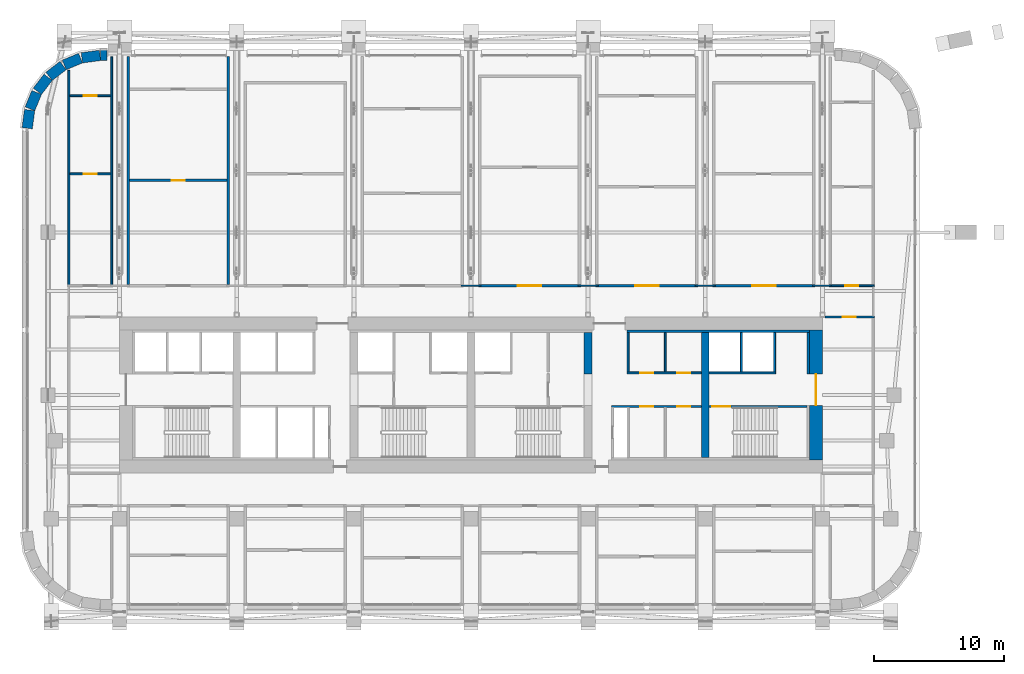
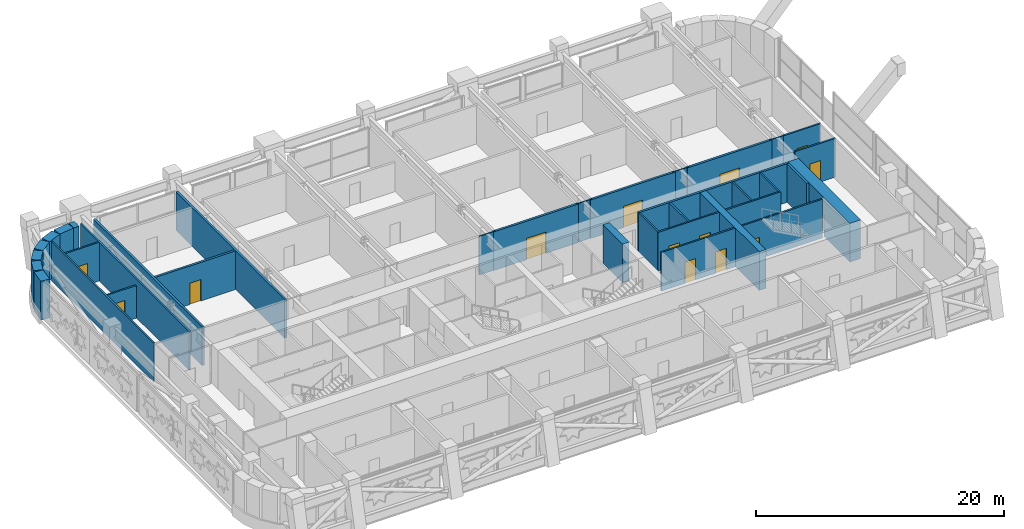
# One storey, part 15 of 27: 36 walls, 14 doors, 14 openings.
"""IFC4 building model written with IfcOpenShell, lengths in metres."""

from ifc_helpers import new_model, si_unit, direction, frame, frame_2d, origin, place, context, subcontext, project, spatial, rectangle, extrude, material, layer, layer_set, type_object, element, fill, save


model = new_model("IFC4")

# Units and contexts
model_context = context("Model", 3, precision=1e-05, world=origin(), true_north=direction((0.0, 1.0)))
body_context = subcontext(model_context, "Body", "Model", "MODEL_VIEW")
ifc_project = project(units=[si_unit("LENGTHUNIT", "METRE"), si_unit("AREAUNIT", "SQUARE_METRE"), si_unit("VOLUMEUNIT", "CUBIC_METRE"), si_unit("PLANEANGLEUNIT", "RADIAN"), si_unit("MASSUNIT", "GRAM", prefix="KILO")], contexts=[model_context])

# Site, building, storey
site_placement = place(None, origin())
site = spatial("IfcSite", under=ifc_project, at=site_placement, CompositionType="ELEMENT")
building_placement = place(site_placement, origin())
building = spatial("IfcBuilding", under=site, at=building_placement, Name="Zellij Exchange Tower", CompositionType="ELEMENT")
storey_placement = place(building_placement, frame((0.0, 0.0, 104.5)))
storey = spatial("IfcBuildingStorey", under=building, at=storey_placement, Name="L22", CompositionType="ELEMENT", Elevation=104.5)

# Walls
ifc_material_1 = material(Name="Concrete C70/85", Category="concrete")
ifc_layer_1 = layer(ifc_material_1, 0.60009765625)
ifc_layer_set_1 = layer_set([ifc_layer_1], Name="Concrete C70/85")
wall_type_1 = type_object("IfcWallType", Name="CORE-CW 600 C70/85", PredefinedType="SHEAR", material=ifc_layer_set_1)
wall_1_placement = place(storey_placement, frame((9.0, -6.375, 0.0), z_axis=(0.0, 0.0, 1.0), x_axis=(0.0, 1.0, 0.0)))
element("IfcWall", 1, at=wall_1_placement, inside=storey, type_object=wall_type_1, Name="Core cross wall pier x 9 b L22", PredefinedType="SHEAR", context=body_context, shape_type="SweptSolid", body=[
    extrude(rectangle(XDim=3.175048828125, YDim=0.60009765625, at=frame_2d((1.58740234375, 0.0))), origin(), (0.0, 0.0, 1.0), 3.800048828125),
])
wall_2_placement = place(storey_placement, frame((18.0, -12.800048828125, 0.0), z_axis=(0.0, 0.0, 1.0), x_axis=(0.0, 1.0, 0.0)))
element("IfcWall", 2, at=wall_2_placement, inside=storey, type_object=wall_type_1, Name="Core cross wall x 18 L22", PredefinedType="SHEAR", context=body_context, shape_type="SweptSolid", body=[
    extrude(rectangle(XDim=9.60009765625, YDim=0.60009765625, at=frame_2d((4.800048828125, 0.0))), origin(), (0.0, 0.0, 1.0), 3.800048828125),
])
ifc_material_2 = material(Name="Concrete C30/37", Category="concrete")
ifc_layer_2 = layer(ifc_material_2, 0.199951171875)
ifc_layer_set_2 = layer_set([ifc_layer_2], Name="Concrete C30/37")
wall_type_2 = type_object("IfcWallType", Name="CORE-LW 200 C30/37", PredefinedType="SHEAR", material=ifc_layer_set_2)
wall_3_placement = place(storey_placement, frame((12.0, -3.10009765625, 0.0), z_axis=(0.0, 0.0, 1.0), x_axis=(1.0, 0.0, 0.0)))
element("IfcWall", 3, at=wall_3_placement, inside=storey, type_object=wall_type_2, Name="Core wall lining front.2 L22", PredefinedType="SHEAR", context=body_context, shape_type="SweptSolid", body=[
    extrude(rectangle(XDim=14.0, YDim=0.199951171875, at=frame_2d((7.0, 0.0))), origin(), (0.0, 0.0, 1.0), 3.800048828125),
])
wall_4_placement = place(storey_placement, frame((25.89990234375, -6.375, 0.0), z_axis=(0.0, 0.0, 1.0), x_axis=(0.0, 1.0, 0.0)))
element("IfcWall", 4, at=wall_4_placement, inside=storey, type_object=wall_type_2, Name="Core wall lining end e.1 L22", PredefinedType="SHEAR", context=body_context, shape_type="SweptSolid", body=[
    extrude(rectangle(XDim=3.175048828125, YDim=0.199951171875, at=frame_2d((1.58740234375, 0.0))), origin(), (0.0, 0.0, 1.0), 3.800048828125),
])
ifc_material_3 = material(Name="Gypsum shaft wall system")
ifc_layer_3 = layer(ifc_material_3, 0.14990234375)
ifc_layer_set_3 = layer_set([ifc_layer_3], Name="Gypsum shaft wall system")
wall_type_3 = type_object("IfcWallType", Name="CORE-PW 150 Lift shaft wall", PredefinedType="PARTITIONING", material=ifc_layer_set_3)
for number, where, z_axis, x_axis, name in (
    (5, (20.77490234375, -6.22509765625, 0.0), (0.0, 0.0, 1.0), (0.0, 1.0, 0.0), "Lift shaft wall L22"),
    (6, (23.324951171875, -6.22509765625, 0.0), (0.0, 0.0, 1.0), (0.0, 1.0, 0.0), "Lift shaft wall L22"),
):
    element("IfcWall", number, at=place(storey_placement, frame(where, z_axis=z_axis, x_axis=x_axis)), inside=storey, type_object=wall_type_3, Name=name, PredefinedType="PARTITIONING", context=body_context, shape_type="SweptSolid", body=[
        extrude(rectangle(XDim=3.025146484375, YDim=0.14990234375, at=frame_2d((1.5126953125, 0.0))), origin(), (0.0, 0.0, 1.0), 3.800048828125),
    ])
wall_5_placement = place(storey_placement, frame((18.300048828125, -6.300048828125, 0.0), z_axis=(0.0, 0.0, 1.0), x_axis=(1.0, 0.0, 0.0)))
element("IfcWall", 7, at=wall_5_placement, inside=storey, type_object=wall_type_3, Name="Lift shaft wall L22", PredefinedType="PARTITIONING", context=body_context, shape_type="SweptSolid", body=[
    extrude(rectangle(XDim=5.099853515625, YDim=0.14990234375, at=frame_2d((2.5498046875, 0.0))), origin(), (0.0, 0.0, 1.0), 3.800048828125),
])
ifc_layer_4 = layer(ifc_material_3, 0.14990234375)
ifc_layer_set_4 = layer_set([ifc_layer_4], Name="Gypsum shaft wall system")
wall_type_4 = type_object("IfcWallType", Name="CORE-PW 150 Plant room wall", PredefinedType="PARTITIONING", material=ifc_layer_set_4)
for number, where, z_axis, x_axis, name in (
    (8, (12.074951171875, -6.22509765625, 0.0), (0.0, 0.0, 1.0), (0.0, 1.0, 0.0), "Plant room wall L22"),
    (9, (14.925048828125, -6.22509765625, 0.0), (0.0, 0.0, 1.0), (0.0, 1.0, 0.0), "Plant room wall L22"),
):
    element("IfcWall", number, at=place(storey_placement, frame(where, z_axis=z_axis, x_axis=x_axis)), inside=storey, type_object=wall_type_4, Name=name, PredefinedType="PARTITIONING", context=body_context, shape_type="SweptSolid", body=[
        extrude(rectangle(XDim=3.025146484375, YDim=0.14990234375, at=frame_2d((1.5126953125, 0.0))), origin(), (0.0, 0.0, 1.0), 3.800048828125),
    ])

# Wall, openings, doors
wall_6_placement = place(storey_placement, frame((12.0, -6.300048828125, 0.0), z_axis=(0.0, 0.0, 1.0), x_axis=(1.0, 0.0, 0.0)))
wall_6 = element("IfcWall", 10, at=wall_6_placement, inside=storey, type_object=wall_type_4, Name="Plant room wall L22", PredefinedType="PARTITIONING", context=body_context, shape_type="SweptSolid", body=[
    extrude(rectangle(XDim=5.699951171875, YDim=0.14990234375, at=frame_2d((2.85009765625, 0.0))), origin(), (0.0, 0.0, 1.0), 3.800048828125),
])
opening_1_placement = place(wall_6_placement, frame((1.0, 0.0, 0.0)))
opening_1 = element("IfcOpeningElement", 11, at=opening_1_placement, cuts=wall_6, Name="Opening CA-12.18", PredefinedType="OPENING", context=body_context, shape_type="SweptSolid", body=[
    extrude(rectangle(XDim=1.0, YDim=2.10009765625, at=frame_2d((0.5, 1.050048828125))), frame((0.0, 0.0869140625, 0.0), z_axis=(0.0, -1.0, 0.0), x_axis=(1.0, 0.0, 0.0)), (0.0, 0.0, 1.0), 0.173828125),
])
opening_2_placement = place(wall_6_placement, frame((3.85009765625, 0.0, 0.0)))
opening_2 = element("IfcOpeningElement", 12, at=opening_2_placement, cuts=wall_6, Name="Opening CA-12.20", PredefinedType="OPENING", context=body_context, shape_type="SweptSolid", body=[
    extrude(rectangle(XDim=1.0, YDim=2.10009765625, at=frame_2d((0.5, 1.050048828125))), frame((0.0, 0.0869140625, 0.0), z_axis=(0.0, -1.0, 0.0), x_axis=(1.0, 0.0, 0.0)), (0.0, 0.0, 1.0), 0.173828125),
])
ifc_material_4 = material(Name="Hollow metal fire door")
door_type_1 = type_object("IfcDoorType", Name="CORE-D CDA Core room door 1000x2100 1.5 HR", OperationType="NOTDEFINED", PredefinedType="DOOR", material=ifc_material_4)
door_1_placement = place(opening_1_placement, origin())
door_1 = element("IfcDoor", 13, at=door_1_placement, inside=storey, type_object=door_type_1, Name="Core room door CA-12.18", OperationType="SINGLE_SWING_LEFT", OverallHeight=2.10009765625, OverallWidth=1.0, PredefinedType="DOOR", context=body_context, shape_type="SweptSolid", body=[
    extrude(rectangle(XDim=1.0, YDim=2.10009765625, at=frame_2d((0.5, 1.050048828125))), frame((0.0, 0.02490234375, 0.0), z_axis=(0.0, -1.0, 0.0), x_axis=(1.0, 0.0, 0.0)), (0.0, 0.0, 1.0), 0.050048828125),
])
fill(opening_1, door_1)
door_2_placement = place(opening_2_placement, origin())
door_2 = element("IfcDoor", 14, at=door_2_placement, inside=storey, type_object=door_type_1, Name="Core room door CA-12.20", OperationType="SINGLE_SWING_RIGHT", OverallHeight=2.10009765625, OverallWidth=1.0, PredefinedType="DOOR", context=body_context, shape_type="SweptSolid", body=[
    extrude(rectangle(XDim=1.0, YDim=2.10009765625, at=frame_2d((0.5, 1.050048828125))), frame((0.0, 0.02490234375, 0.0), z_axis=(0.0, -1.0, 0.0), x_axis=(1.0, 0.0, 0.0)), (0.0, 0.0, 1.0), 0.050048828125),
])
fill(opening_2, door_2)

wall_7_placement = place(storey_placement, frame((10.800048828125, -8.875, 0.0), z_axis=(0.0, 0.0, 1.0), x_axis=(1.0, 0.0, 0.0)))
wall_7 = element("IfcWall", 15, at=wall_7_placement, inside=storey, type_object=wall_type_4, Name="Plant room wall L22", PredefinedType="PARTITIONING", context=body_context, shape_type="SweptSolid", body=[
    extrude(rectangle(XDim=6.89990234375, YDim=0.14990234375, at=frame_2d((3.449951171875, 0.0))), origin(), (0.0, 0.0, 1.0), 3.800048828125),
])
opening_3_placement = place(wall_7_placement, frame((2.199951171875, 0.0, 0.0)))
opening_3 = element("IfcOpeningElement", 16, at=opening_3_placement, cuts=wall_7, Name="Opening CA-12.17", PredefinedType="OPENING", context=body_context, shape_type="SweptSolid", body=[
    extrude(rectangle(XDim=1.0, YDim=2.10009765625, at=frame_2d((0.5, 1.050048828125))), frame((0.0, 0.0869140625, 0.0), z_axis=(0.0, -1.0, 0.0), x_axis=(1.0, 0.0, 0.0)), (0.0, 0.0, 1.0), 0.173828125),
])
opening_4_placement = place(wall_7_placement, frame((5.050048828125, 0.0, 0.0)))
opening_4 = element("IfcOpeningElement", 17, at=opening_4_placement, cuts=wall_7, Name="Opening CA-12.19", PredefinedType="OPENING", context=body_context, shape_type="SweptSolid", body=[
    extrude(rectangle(XDim=1.0, YDim=2.10009765625, at=frame_2d((0.5, 1.050048828125))), frame((0.0, 0.0869140625, 0.0), z_axis=(0.0, -1.0, 0.0), x_axis=(1.0, 0.0, 0.0)), (0.0, 0.0, 1.0), 0.173828125),
])
door_3_placement = place(opening_3_placement, origin())
door_3 = element("IfcDoor", 18, at=door_3_placement, inside=storey, type_object=door_type_1, Name="Core room door CA-12.17", OperationType="SINGLE_SWING_RIGHT", OverallHeight=2.10009765625, OverallWidth=1.0, PredefinedType="DOOR", context=body_context, shape_type="SweptSolid", body=[
    extrude(rectangle(XDim=1.0, YDim=2.10009765625, at=frame_2d((0.5, 1.050048828125))), frame((0.0, 0.02490234375, 0.0), z_axis=(0.0, -1.0, 0.0), x_axis=(1.0, 0.0, 0.0)), (0.0, 0.0, 1.0), 0.050048828125),
])
fill(opening_3, door_3)
door_4_placement = place(opening_4_placement, origin())
door_4 = element("IfcDoor", 19, at=door_4_placement, inside=storey, type_object=door_type_1, Name="Core room door CA-12.19", OperationType="SINGLE_SWING_LEFT", OverallHeight=2.10009765625, OverallWidth=1.0, PredefinedType="DOOR", context=body_context, shape_type="SweptSolid", body=[
    extrude(rectangle(XDim=1.0, YDim=2.10009765625, at=frame_2d((0.5, 1.050048828125))), frame((0.0, 0.02490234375, 0.0), z_axis=(0.0, -1.0, 0.0), x_axis=(1.0, 0.0, 0.0)), (0.0, 0.0, 1.0), 0.050048828125),
])
fill(opening_4, door_4)

# Wall, opening, door
ifc_layer_5 = layer(ifc_material_1, 1.0)
ifc_layer_set_5 = layer_set([ifc_layer_5], Name="Concrete C70/85")
wall_type_5 = type_object("IfcWallType", Name="CORE-SW 1000 C70/85", PredefinedType="SHEAR", material=ifc_layer_set_5)
wall_8_placement = place(storey_placement, frame((26.5, -13.0, 0.0), z_axis=(0.0, 0.0, 1.0), x_axis=(0.0, 1.0, 0.0)))
wall_8 = element("IfcWall", 20, at=wall_8_placement, inside=storey, type_object=wall_type_5, Name="Core shear wall end e L22", PredefinedType="SHEAR", context=body_context, shape_type="SweptSolid", body=[
    extrude(rectangle(XDim=10.0, YDim=1.0, at=frame_2d((5.0, 0.0))), origin(), (0.0, 0.0, 1.0), 3.800048828125),
])
opening_5_placement = place(wall_8_placement, frame((4.2119140625, 0.0, 0.0)))
opening_5 = element("IfcOpeningElement", 21, at=opening_5_placement, cuts=wall_8, Name="Opening CA-12.22", PredefinedType="OPENING", context=body_context, shape_type="SweptSolid", body=[
    extrude(rectangle(XDim=2.39990234375, YDim=2.10009765625, at=frame_2d((1.199951171875, 1.050048828125))), frame((0.0, 0.511962890625, 0.0), z_axis=(0.0, -1.0, 0.0), x_axis=(1.0, 0.0, 0.0)), (0.0, 0.0, 1.0), 1.02392578125),
])
door_type_2 = type_object("IfcDoorType", Name="CORE-D CE Core entrance door 2400x2100 20 MIN", OperationType="NOTDEFINED", PredefinedType="DOOR", material=ifc_material_4)
door_5_placement = place(opening_5_placement, origin())
door_5 = element("IfcDoor", 22, at=door_5_placement, inside=storey, type_object=door_type_2, Name="Core entrance door CA-12.22", OperationType="DOUBLE_DOOR_SINGLE_SWING", OverallHeight=2.10009765625, OverallWidth=2.39990234375, PredefinedType="DOOR", context=body_context, shape_type="SweptSolid", body=[
    extrude(rectangle(XDim=2.39990234375, YDim=2.10009765625, at=frame_2d((1.199951171875, 1.050048828125))), frame((0.0, 0.02490234375, 0.0), z_axis=(0.0, -1.0, 0.0), x_axis=(1.0, 0.0, 0.0)), (0.0, 0.0, 1.0), 0.050048828125),
])
fill(opening_5, door_5)

ifc_layer_6 = layer(ifc_material_1, 0.14990234375)
ifc_layer_set_6 = layer_set([ifc_layer_6], Name="Concrete C70/85")
wall_type_6 = type_object("IfcWallType", Name="CORE-SWS 150 C70/85", PredefinedType="SHEAR", material=ifc_layer_set_6)
wall_9_placement = place(storey_placement, frame((18.300048828125, -8.875, 0.0), z_axis=(0.0, 0.0, 1.0), x_axis=(1.0, 0.0, 0.0)))
wall_9 = element("IfcWall", 23, at=wall_9_placement, inside=storey, type_object=wall_type_6, Name="Stair enclosure wall L22", PredefinedType="SHEAR", context=body_context, shape_type="SweptSolid", body=[
    extrude(rectangle(XDim=7.5, YDim=0.14990234375, at=frame_2d((3.75, 0.0))), origin(), (0.0, 0.0, 1.0), 3.800048828125),
])
opening_6_placement = place(wall_9_placement, frame((0.22509765625, 0.0, 0.0)))
opening_6 = element("IfcOpeningElement", 24, at=opening_6_placement, cuts=wall_9, Name="Opening CA-12.21", PredefinedType="OPENING", context=body_context, shape_type="SweptSolid", body=[
    extrude(rectangle(XDim=1.39990234375, YDim=2.10009765625, at=frame_2d((0.699951171875, 1.050048828125))), frame((0.0, 0.0869140625, 0.0), z_axis=(0.0, -1.0, 0.0), x_axis=(1.0, 0.0, 0.0)), (0.0, 0.0, 1.0), 0.173828125),
])
door_type_3 = type_object("IfcDoorType", Name="CORE-D SD Stair door 1400x2100 1.5 HR", OperationType="NOTDEFINED", PredefinedType="DOOR", material=ifc_material_4)
door_6_placement = place(opening_6_placement, origin())
door_6 = element("IfcDoor", 25, at=door_6_placement, inside=storey, type_object=door_type_3, Name="Stair door CA-12.21", OperationType="DOUBLE_DOOR_SINGLE_SWING", OverallHeight=2.10009765625, OverallWidth=1.39990234375, PredefinedType="DOOR", context=body_context, shape_type="SweptSolid", body=[
    extrude(rectangle(XDim=1.39990234375, YDim=2.10009765625, at=frame_2d((0.699951171875, 1.050048828125))), frame((0.0, 0.02490234375, 0.0), z_axis=(0.0, -1.0, 0.0), x_axis=(1.0, 0.0, 0.0)), (0.0, 0.0, 1.0), 0.050048828125),
])
fill(opening_6, door_6)

# Walls
ifc_material_5 = material(Name="Precast concrete C40/50", Category="concrete")
ifc_layer_7 = layer(ifc_material_5, 0.800048828125)
ifc_layer_set_7 = layer_set([ifc_layer_7], Name="Precast concrete C40/50")
wall_type_7 = type_object("IfcWallType", Name="ENV-EW1 Precast stone-piered wall 800", PredefinedType="SOLIDWALL", material=ifc_layer_set_7)
wall_10_placement = place(storey_placement, frame((-27.949951171875, 18.10009765625, 0.0), z_axis=(0.0, 0.0, 1.0), x_axis=(-1.0, 0.0, 0.0)))
element("IfcWall", 26, at=wall_10_placement, inside=storey, type_object=wall_type_7, Name="fac.L22.14j", PredefinedType="SOLIDWALL", context=body_context, shape_type="SweptSolid", body=[
    extrude(rectangle(XDim=0.49755859375, YDim=0.800048828125, at=frame_2d((0.248779296875, 0.0))), origin(), (0.0, 0.0, 1.0), 3.800048828125),
])
wall_11_placement = place(storey_placement, frame((-28.499755859375, 18.0966796875, 0.0), z_axis=(0.0, 0.0, 1.0), x_axis=(-0.99144603414, -0.130517283865, 0.0)))
element("IfcWall", 27, at=wall_11_placement, inside=storey, type_object=wall_type_7, Name="fac.L22.15", PredefinedType="SOLIDWALL", context=body_context, shape_type="SweptSolid", body=[
    extrude(rectangle(XDim=1.408447265625, YDim=0.800048828125, at=frame_2d((0.7041015625, 0.0))), origin(), (0.0, 0.0, 1.0), 3.800048828125),
])
wall_12_placement = place(storey_placement, frame((-29.997314453125, 17.8857421875, 0.0), z_axis=(0.0, 0.0, 1.0), x_axis=(-0.923847774587, -0.38276009378, 0.0)))
element("IfcWall", 28, at=wall_12_placement, inside=storey, type_object=wall_type_7, Name="fac.L22.16", PredefinedType="SOLIDWALL", context=body_context, shape_type="SweptSolid", body=[
    extrude(rectangle(XDim=1.35546875, YDim=0.800048828125, at=frame_2d((0.677734375, 0.0))), origin(), (0.0, 0.0, 1.0), 3.800048828125),
])
for number, where, z_axis, x_axis, name in (
    (29, (-31.340087890625, 17.314697265625, 0.0), (0.0, 0.0, 1.0), (-0.793272915452, -0.608866226366, 0.0), "fac.L22.17"),
    (30, (-32.4892578125, 16.41552734375, 0.0), (0.0, 0.0, 1.0), (-0.608866226366, -0.793272915452, 0.0), "fac.L22.18"),
):
    element("IfcWall", number, at=place(storey_placement, frame(where, z_axis=z_axis, x_axis=x_axis)), inside=storey, type_object=wall_type_7, Name=name, PredefinedType="SOLIDWALL", context=body_context, shape_type="SweptSolid", body=[
        extrude(rectangle(XDim=1.355712890625, YDim=0.800048828125, at=frame_2d((0.677734375, 0.0))), origin(), (0.0, 0.0, 1.0), 3.800048828125),
    ])
wall_13_placement = place(storey_placement, frame((-33.366943359375, 15.24951171875, 0.0), z_axis=(0.0, 0.0, 1.0), x_axis=(-0.38276009378, -0.923847774587, 0.0)))
element("IfcWall", 31, at=wall_13_placement, inside=storey, type_object=wall_type_7, Name="fac.L22.19", PredefinedType="SOLIDWALL", context=body_context, shape_type="SweptSolid", body=[
    extrude(rectangle(XDim=1.35546875, YDim=0.800048828125, at=frame_2d((0.677734375, 0.0))), origin(), (0.0, 0.0, 1.0), 3.800048828125),
])
wall_14_placement = place(storey_placement, frame((-33.912841796875, 13.896240234375, 0.0), z_axis=(0.0, 0.0, 1.0), x_axis=(-0.130517283865, -0.99144603414, 0.0)))
element("IfcWall", 32, at=wall_14_placement, inside=storey, type_object=wall_type_7, Name="fac.L22.20", PredefinedType="SOLIDWALL", context=body_context, shape_type="SweptSolid", body=[
    extrude(rectangle(XDim=1.408447265625, YDim=0.800048828125, at=frame_2d((0.7041015625, 0.0))), origin(), (0.0, 0.0, 1.0), 3.800048828125),
])
ifc_material_6 = material(Name="Blockwork fire wall", Category="masonry")
ifc_layer_8 = layer(ifc_material_6, 0.199951171875)
ifc_layer_set_8 = layer_set([ifc_layer_8], Name="Blockwork fire wall")
wall_type_8 = type_object("IfcWallType", Name="FIT-BLOCKWORK-200-EI120", PredefinedType="PARTITIONING", material=ifc_layer_set_8)
for number, where, z_axis, x_axis, name in (
    (33, (-26.340087890625, 0.5, 0.0), (0.0, 0.0, 1.0), (0.0, 1.0, 0.0), "FIT-BLOCKWORK-200-EI120 053"),
    (34, (-18.659912109375, 0.5, 0.0), (0.0, 0.0, 1.0), (0.0, 1.0, 0.0), "FIT-BLOCKWORK-200-EI120 055"),
):
    element("IfcWall", number, at=place(storey_placement, frame(where, z_axis=z_axis, x_axis=x_axis)), inside=storey, type_object=wall_type_8, Name=name, PredefinedType="PARTITIONING", context=body_context, shape_type="SweptSolid", body=[
        extrude(rectangle(XDim=17.5, YDim=0.199951171875, at=frame_2d((8.75, 0.0))), origin(), (0.0, 0.0, 1.0), 3.800048828125),
    ])

# Wall, opening, door
wall_15_placement = place(storey_placement, frame((0.56005859375, 0.39990234375, 0.0), z_axis=(0.0, 0.0, 1.0), x_axis=(1.0, 0.0, 0.0)))
wall_15 = element("IfcWall", 35, at=wall_15_placement, inside=storey, type_object=wall_type_8, Name="FIT-BLOCKWORK-200-EI120 064", PredefinedType="PARTITIONING", context=body_context, shape_type="SweptSolid", body=[
    extrude(rectangle(XDim=7.8798828125, YDim=0.199951171875, at=frame_2d((3.93994140625, 0.0))), origin(), (0.0, 0.0, 1.0), 3.800048828125),
])
opening_7_placement = place(wall_15_placement, frame((3.050048828125, 0.0, 0.0)))
opening_7 = element("IfcOpeningElement", 36, at=opening_7_placement, cuts=wall_15, Name="Opening PL22.21", PredefinedType="OPENING", context=body_context, shape_type="SweptSolid", body=[
    extrude(rectangle(XDim=1.800048828125, YDim=2.10009765625, at=frame_2d((0.89990234375, 1.050048828125))), frame((0.0, 0.11181640625, 0.0), z_axis=(0.0, -1.0, 0.0), x_axis=(1.0, 0.0, 0.0)), (0.0, 0.0, 1.0), 0.223876953125),
])
ifc_material_7 = material(Name="Steel fire door set", Category="steel")
door_type_4 = type_object("IfcDoorType", Name="FIT-D5-FIRE-DOUBLE-1800X2100", OperationType="DOUBLE_DOOR_SINGLE_SWING", PredefinedType="DOOR", material=ifc_material_7)
door_7_placement = place(opening_7_placement, origin())
door_7 = element("IfcDoor", 37, at=door_7_placement, inside=storey, type_object=door_type_4, Name="Door PL22.21", OperationType="DOUBLE_DOOR_SINGLE_SWING", OverallHeight=2.10009765625, OverallWidth=1.800048828125, PredefinedType="DOOR", context=body_context, shape_type="SweptSolid", body=[
    extrude(rectangle(XDim=1.800048828125, YDim=2.10009765625, at=frame_2d((0.89990234375, 1.050048828125))), frame((0.0, 0.02490234375, 0.0), z_axis=(0.0, -1.0, 0.0), x_axis=(1.0, 0.0, 0.0)), (0.0, 0.0, 1.0), 0.050048828125),
])
fill(opening_7, door_7)

wall_16_placement = place(storey_placement, frame((9.56005859375, 0.39990234375, 0.0), z_axis=(0.0, 0.0, 1.0), x_axis=(1.0, 0.0, 0.0)))
wall_16 = element("IfcWall", 38, at=wall_16_placement, inside=storey, type_object=wall_type_8, Name="FIT-BLOCKWORK-200-EI120 068", PredefinedType="PARTITIONING", context=body_context, shape_type="SweptSolid", body=[
    extrude(rectangle(XDim=7.8798828125, YDim=0.199951171875, at=frame_2d((3.93994140625, 0.0))), origin(), (0.0, 0.0, 1.0), 3.800048828125),
])
opening_8_placement = place(wall_16_placement, frame((3.050048828125, 0.0, 0.0)))
opening_8 = element("IfcOpeningElement", 39, at=opening_8_placement, cuts=wall_16, Name="Opening PL22.22", PredefinedType="OPENING", context=body_context, shape_type="SweptSolid", body=[
    extrude(rectangle(XDim=1.800048828125, YDim=2.10009765625, at=frame_2d((0.89990234375, 1.050048828125))), frame((0.0, 0.11181640625, 0.0), z_axis=(0.0, -1.0, 0.0), x_axis=(1.0, 0.0, 0.0)), (0.0, 0.0, 1.0), 0.223876953125),
])
door_8_placement = place(opening_8_placement, origin())
door_8 = element("IfcDoor", 40, at=door_8_placement, inside=storey, type_object=door_type_4, Name="Door PL22.22", OperationType="DOUBLE_DOOR_SINGLE_SWING", OverallHeight=2.10009765625, OverallWidth=1.800048828125, PredefinedType="DOOR", context=body_context, shape_type="SweptSolid", body=[
    extrude(rectangle(XDim=1.800048828125, YDim=2.10009765625, at=frame_2d((0.89990234375, 1.050048828125))), frame((0.0, 0.02490234375, 0.0), z_axis=(0.0, -1.0, 0.0), x_axis=(1.0, 0.0, 0.0)), (0.0, 0.0, 1.0), 0.050048828125),
])
fill(opening_8, door_8)

wall_17_placement = place(storey_placement, frame((18.56005859375, 0.39990234375, 0.0), z_axis=(0.0, 0.0, 1.0), x_axis=(1.0, 0.0, 0.0)))
wall_17 = element("IfcWall", 41, at=wall_17_placement, inside=storey, type_object=wall_type_8, Name="FIT-BLOCKWORK-200-EI120 072", PredefinedType="PARTITIONING", context=body_context, shape_type="SweptSolid", body=[
    extrude(rectangle(XDim=7.8798828125, YDim=0.199951171875, at=frame_2d((3.93994140625, 0.0))), origin(), (0.0, 0.0, 1.0), 3.800048828125),
])
opening_9_placement = place(wall_17_placement, frame((3.050048828125, 0.0, 0.0)))
opening_9 = element("IfcOpeningElement", 42, at=opening_9_placement, cuts=wall_17, Name="Opening PL22.23", PredefinedType="OPENING", context=body_context, shape_type="SweptSolid", body=[
    extrude(rectangle(XDim=1.800048828125, YDim=2.10009765625, at=frame_2d((0.89990234375, 1.050048828125))), frame((0.0, 0.11181640625, 0.0), z_axis=(0.0, -1.0, 0.0), x_axis=(1.0, 0.0, 0.0)), (0.0, 0.0, 1.0), 0.223876953125),
])
door_9_placement = place(opening_9_placement, origin())
door_9 = element("IfcDoor", 43, at=door_9_placement, inside=storey, type_object=door_type_4, Name="Door PL22.23", OperationType="DOUBLE_DOOR_SINGLE_SWING", OverallHeight=2.10009765625, OverallWidth=1.800048828125, PredefinedType="DOOR", context=body_context, shape_type="SweptSolid", body=[
    extrude(rectangle(XDim=1.800048828125, YDim=2.10009765625, at=frame_2d((0.89990234375, 1.050048828125))), frame((0.0, 0.02490234375, 0.0), z_axis=(0.0, -1.0, 0.0), x_axis=(1.0, 0.0, 0.0)), (0.0, 0.0, 1.0), 0.050048828125),
])
fill(opening_9, door_9)

wall_18_placement = place(storey_placement, frame((-26.239990234375, 8.5, 0.0), z_axis=(0.0, 0.0, 1.0), x_axis=(1.0, 0.0, 0.0)))
wall_18 = element("IfcWall", 44, at=wall_18_placement, inside=storey, type_object=wall_type_8, Name="FIT-BLOCKWORK-200-EI120 082", PredefinedType="PARTITIONING", context=body_context, shape_type="SweptSolid", body=[
    extrude(rectangle(XDim=7.47998046875, YDim=0.199951171875, at=frame_2d((3.739990234375, 0.0))), origin(), (0.0, 0.0, 1.0), 3.800048828125),
])
opening_10_placement = place(wall_18_placement, frame((3.25, 0.0, 0.0)))
opening_10 = element("IfcOpeningElement", 45, at=opening_10_placement, cuts=wall_18, Name="Opening PL22.28", PredefinedType="OPENING", context=body_context, shape_type="SweptSolid", body=[
    extrude(rectangle(XDim=1.0, YDim=2.10009765625, at=frame_2d((0.5, 1.050048828125))), frame((0.0, 0.11181640625, 0.0), z_axis=(0.0, -1.0, 0.0), x_axis=(1.0, 0.0, 0.0)), (0.0, 0.0, 1.0), 0.223876953125),
])
door_type_5 = type_object("IfcDoorType", Name="FIT-D4-FIRE-1000X2100", OperationType="SINGLE_SWING_LEFT", PredefinedType="DOOR", material=ifc_material_7)
door_10_placement = place(opening_10_placement, origin())
door_10 = element("IfcDoor", 46, at=door_10_placement, inside=storey, type_object=door_type_5, Name="Door PL22.28", OperationType="SINGLE_SWING_RIGHT", OverallHeight=2.10009765625, OverallWidth=1.0, PredefinedType="DOOR", context=body_context, shape_type="SweptSolid", body=[
    extrude(rectangle(XDim=1.0, YDim=2.10009765625, at=frame_2d((0.5, 1.050048828125))), frame((0.0, 0.02490234375, 0.0), z_axis=(0.0, -1.0, 0.0), x_axis=(1.0, 0.0, 0.0)), (0.0, 0.0, 1.0), 0.050048828125),
])
fill(opening_10, door_10)

# Walls
ifc_material_8 = material(Name="Gypsum board partition on steel studs", Category="steel")
ifc_layer_9 = layer(ifc_material_8, 0.10009765625)
ifc_layer_set_9 = layer_set([ifc_layer_9], Name="Gypsum board partition on steel studs")
wall_type_9 = type_object("IfcWallType", Name="FIT-PARTITION-100", PredefinedType="PARTITIONING", material=ifc_layer_set_9)
for number, where, z_axis, x_axis, name in (
    (47, (-0.760009765625, 0.39990234375, 0.0), (0.0, 0.0, 1.0), (1.0, 0.0, 0.0), "FIT-PARTITION-100 062"),
    (48, (8.239990234375, 0.39990234375, 0.0), (0.0, 0.0, 1.0), (1.0, 0.0, 0.0), "FIT-PARTITION-100 066"),
    (49, (17.239990234375, 0.39990234375, 0.0), (0.0, 0.0, 1.0), (1.0, 0.0, 0.0), "FIT-PARTITION-100 070"),
):
    element("IfcWall", number, at=place(storey_placement, frame(where, z_axis=z_axis, x_axis=x_axis)), inside=storey, type_object=wall_type_9, Name=name, PredefinedType="PARTITIONING", context=body_context, shape_type="SweptSolid", body=[
        extrude(rectangle(XDim=1.52001953125, YDim=0.10009765625, at=frame_2d((0.760009765625, 0.0))), origin(), (0.0, 0.0, 1.0), 3.800048828125),
    ])
wall_19_placement = place(storey_placement, frame((26.239990234375, 0.39990234375, 0.0), z_axis=(0.0, 0.0, 1.0), x_axis=(1.0, 0.0, 0.0)))
element("IfcWall", 50, at=wall_19_placement, inside=storey, type_object=wall_type_9, Name="FIT-PARTITION-100 074", PredefinedType="PARTITIONING", context=body_context, shape_type="SweptSolid", body=[
    extrude(rectangle(XDim=1.43505859375, YDim=0.10009765625, at=frame_2d((0.717529296875, 0.0))), origin(), (0.0, 0.0, 1.0), 3.800048828125),
])

# Wall, opening, door
ifc_material_9 = material(Name="Gypsum board shaft-wall partition", Category="gypsum")
ifc_layer_10 = layer(ifc_material_9, 0.14990234375)
ifc_layer_set_10 = layer_set([ifc_layer_10], Name="Gypsum board shaft-wall partition")
wall_type_10 = type_object("IfcWallType", Name="FIT-PARTITION-150-EI60", PredefinedType="PARTITIONING", material=ifc_layer_set_10)
wall_20_placement = place(storey_placement, frame((27.2119140625, -2.0, 0.0), z_axis=(0.0, 0.0, 1.0), x_axis=(1.0, 0.0, 0.0)))
wall_20 = element("IfcWall", 51, at=wall_20_placement, inside=storey, type_object=wall_type_10, Name="FIT-PARTITION-150-EI60 046", PredefinedType="PARTITIONING", context=body_context, shape_type="SweptSolid", body=[
    extrude(rectangle(XDim=3.76318359375, YDim=0.14990234375, at=frame_2d((1.881591796875, 0.0))), origin(), (0.0, 0.0, 1.0), 3.800048828125),
])
opening_11_placement = place(wall_20_placement, frame((1.3662109375, 0.0, 0.0)))
opening_11 = element("IfcOpeningElement", 52, at=opening_11_placement, cuts=wall_20, Name="Opening PL22.16", PredefinedType="OPENING", context=body_context, shape_type="SweptSolid", body=[
    extrude(rectangle(XDim=1.0, YDim=2.10009765625, at=frame_2d((0.5, 1.050048828125))), frame((0.0, 0.0869140625, 0.0), z_axis=(0.0, -1.0, 0.0), x_axis=(1.0, 0.0, 0.0)), (0.0, 0.0, 1.0), 0.173828125),
])
door_11_placement = place(opening_11_placement, origin())
door_11 = element("IfcDoor", 53, at=door_11_placement, inside=storey, type_object=door_type_5, Name="Door PL22.16", OperationType="SINGLE_SWING_LEFT", OverallHeight=2.10009765625, OverallWidth=1.0, PredefinedType="DOOR", context=body_context, shape_type="SweptSolid", body=[
    extrude(rectangle(XDim=1.0, YDim=2.10009765625, at=frame_2d((0.5, 1.050048828125))), frame((0.0, 0.02490234375, 0.0), z_axis=(0.0, -1.0, 0.0), x_axis=(1.0, 0.0, 0.0)), (0.0, 0.0, 1.0), 0.050048828125),
])
fill(opening_11, door_11)

# Walls
wall_21_placement = place(storey_placement, frame((-30.89990234375, 0.47509765625, 0.0), z_axis=(0.0, 0.0, 1.0), x_axis=(0.0, 1.0, 0.0)))
element("IfcWall", 54, at=wall_21_placement, inside=storey, type_object=wall_type_10, Name="FIT-PARTITION-150-EI60 049", PredefinedType="PARTITIONING", context=body_context, shape_type="SweptSolid", body=[
    extrude(rectangle(XDim=16.46484375, YDim=0.14990234375, at=frame_2d((8.232421875, 0.0))), origin(), (0.0, 0.0, 1.0), 3.800048828125),
])
wall_22_placement = place(storey_placement, frame((-27.60009765625, 0.47509765625, 0.0), z_axis=(0.0, 0.0, 1.0), x_axis=(0.0, 1.0, 0.0)))
element("IfcWall", 55, at=wall_22_placement, inside=storey, type_object=wall_type_10, Name="FIT-PARTITION-150-EI60 051", PredefinedType="PARTITIONING", context=body_context, shape_type="SweptSolid", body=[
    extrude(rectangle(XDim=17.5048828125, YDim=0.14990234375, at=frame_2d((8.75244140625, 0.0))), origin(), (0.0, 0.0, 1.0), 3.800048828125),
])

# Wall, opening, door
wall_23_placement = place(storey_placement, frame((27.52490234375, 0.39990234375, 0.0), z_axis=(0.0, 0.0, 1.0), x_axis=(1.0, 0.0, 0.0)))
wall_23 = element("IfcWall", 56, at=wall_23_placement, inside=storey, type_object=wall_type_10, Name="FIT-PARTITION-150-EI60 076", PredefinedType="PARTITIONING", context=body_context, shape_type="SweptSolid", body=[
    extrude(rectangle(XDim=3.4501953125, YDim=0.14990234375, at=frame_2d((1.72509765625, 0.0))), origin(), (0.0, 0.0, 1.0), 3.800048828125),
])
opening_12_placement = place(wall_23_placement, frame((1.22509765625, 0.0, 0.0)))
opening_12 = element("IfcOpeningElement", 57, at=opening_12_placement, cuts=wall_23, Name="Opening PL22.24", PredefinedType="OPENING", context=body_context, shape_type="SweptSolid", body=[
    extrude(rectangle(XDim=1.0, YDim=2.10009765625, at=frame_2d((0.5, 1.050048828125))), frame((0.0, 0.0869140625, 0.0), z_axis=(0.0, -1.0, 0.0), x_axis=(1.0, 0.0, 0.0)), (0.0, 0.0, 1.0), 0.173828125),
])
door_12_placement = place(opening_12_placement, origin())
door_12 = element("IfcDoor", 58, at=door_12_placement, inside=storey, type_object=door_type_5, Name="Door PL22.24", OperationType="SINGLE_SWING_RIGHT", OverallHeight=2.10009765625, OverallWidth=1.0, PredefinedType="DOOR", context=body_context, shape_type="SweptSolid", body=[
    extrude(rectangle(XDim=1.0, YDim=2.10009765625, at=frame_2d((0.5, 1.050048828125))), frame((0.0, 0.02490234375, 0.0), z_axis=(0.0, -1.0, 0.0), x_axis=(1.0, 0.0, 0.0)), (0.0, 0.0, 1.0), 0.050048828125),
])
fill(opening_12, door_12)

wall_24_placement = place(storey_placement, frame((-30.824951171875, 9.0, 0.0), z_axis=(0.0, 0.0, 1.0), x_axis=(1.0, 0.0, 0.0)))
wall_24 = element("IfcWall", 59, at=wall_24_placement, inside=storey, type_object=wall_type_10, Name="FIT-PARTITION-150-EI60 083", PredefinedType="PARTITIONING", context=body_context, shape_type="SweptSolid", body=[
    extrude(rectangle(XDim=3.14990234375, YDim=0.14990234375, at=frame_2d((1.574951171875, 0.0))), origin(), (0.0, 0.0, 1.0), 3.197998046875),
])
opening_13_placement = place(wall_24_placement, frame((1.074951171875, 0.0, 0.0)))
opening_13 = element("IfcOpeningElement", 60, at=opening_13_placement, cuts=wall_24, Name="Opening PL22.29", PredefinedType="OPENING", context=body_context, shape_type="SweptSolid", body=[
    extrude(rectangle(XDim=1.0, YDim=2.10009765625, at=frame_2d((0.5, 1.050048828125))), frame((0.0, 0.0869140625, 0.0), z_axis=(0.0, -1.0, 0.0), x_axis=(1.0, 0.0, 0.0)), (0.0, 0.0, 1.0), 0.173828125),
])
door_13_placement = place(opening_13_placement, origin())
door_13 = element("IfcDoor", 61, at=door_13_placement, inside=storey, type_object=door_type_5, Name="Door PL22.29", OperationType="SINGLE_SWING_RIGHT", OverallHeight=2.10009765625, OverallWidth=1.0, PredefinedType="DOOR", context=body_context, shape_type="SweptSolid", body=[
    extrude(rectangle(XDim=1.0, YDim=2.10009765625, at=frame_2d((0.5, 1.050048828125))), frame((0.0, 0.02490234375, 0.0), z_axis=(0.0, -1.0, 0.0), x_axis=(1.0, 0.0, 0.0)), (0.0, 0.0, 1.0), 0.050048828125),
])
fill(opening_13, door_13)

wall_25_placement = place(storey_placement, frame((-30.824951171875, 15.0, 0.0), z_axis=(0.0, 0.0, 1.0), x_axis=(1.0, 0.0, 0.0)))
wall_25 = element("IfcWall", 62, at=wall_25_placement, inside=storey, type_object=wall_type_10, Name="FIT-PARTITION-150-EI60 091", PredefinedType="PARTITIONING", context=body_context, shape_type="SweptSolid", body=[
    extrude(rectangle(XDim=3.14990234375, YDim=0.14990234375, at=frame_2d((1.574951171875, 0.0))), origin(), (0.0, 0.0, 1.0), 3.800048828125),
])
opening_14_placement = place(wall_25_placement, frame((1.074951171875, 0.0, 0.0)))
opening_14 = element("IfcOpeningElement", 63, at=opening_14_placement, cuts=wall_25, Name="Opening PL22.35", PredefinedType="OPENING", context=body_context, shape_type="SweptSolid", body=[
    extrude(rectangle(XDim=1.0, YDim=2.10009765625, at=frame_2d((0.5, 1.050048828125))), frame((0.0, 0.0869140625, 0.0), z_axis=(0.0, -1.0, 0.0), x_axis=(1.0, 0.0, 0.0)), (0.0, 0.0, 1.0), 0.173828125),
])
door_14_placement = place(opening_14_placement, origin())
door_14 = element("IfcDoor", 64, at=door_14_placement, inside=storey, type_object=door_type_5, Name="Door PL22.35", OperationType="SINGLE_SWING_RIGHT", OverallHeight=2.10009765625, OverallWidth=1.0, PredefinedType="DOOR", context=body_context, shape_type="SweptSolid", body=[
    extrude(rectangle(XDim=1.0, YDim=2.10009765625, at=frame_2d((0.5, 1.050048828125))), frame((0.0, 0.02490234375, 0.0), z_axis=(0.0, -1.0, 0.0), x_axis=(1.0, 0.0, 0.0)), (0.0, 0.0, 1.0), 0.050048828125),
])
fill(opening_14, door_14)

save(model, "model.ifc")
